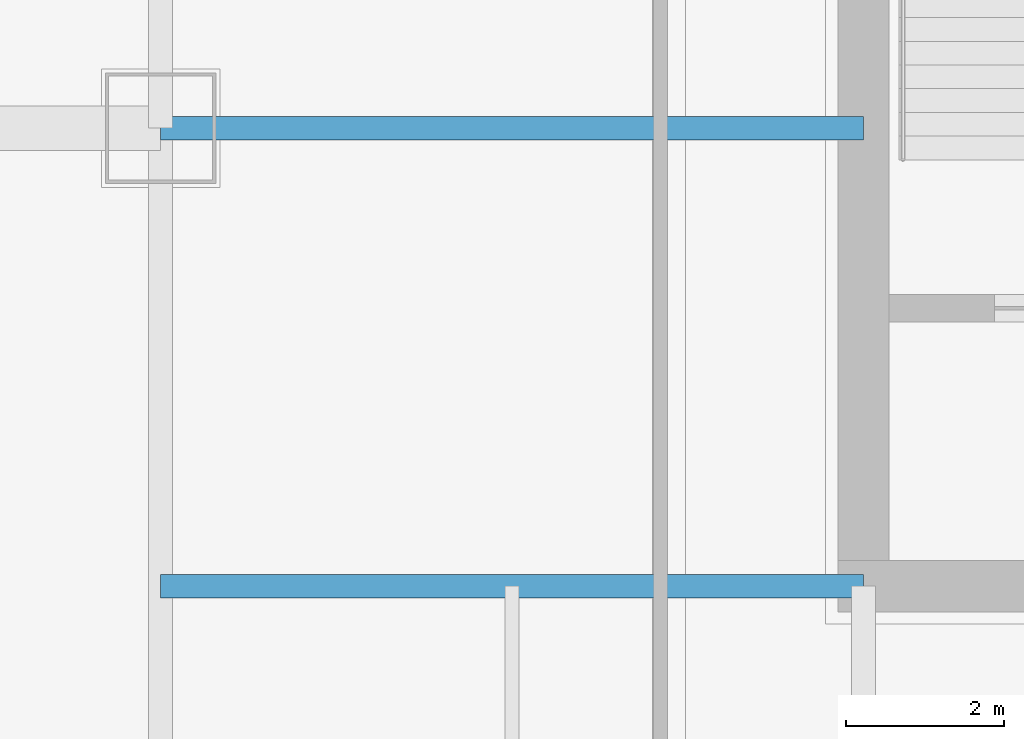
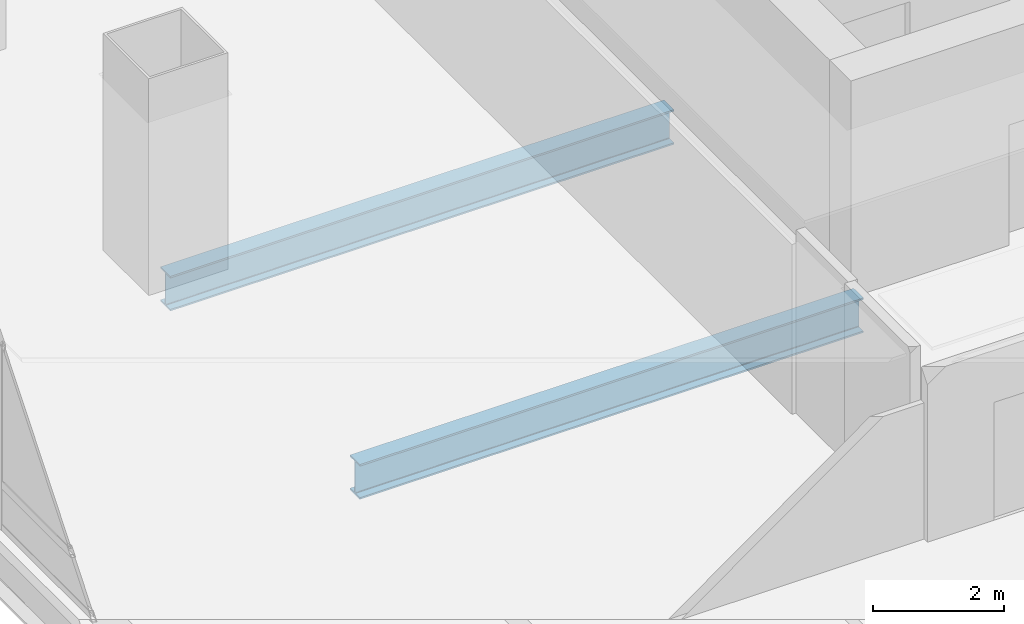
# One storey, part 6 of 38: 2 beams.
"""IFC4 building model written with IfcOpenShell, lengths in metres."""

from ifc_helpers import new_model, si_unit, direction, frame, origin, origin_2d, place, context, subcontext, project, spatial, i_section, extrude, material, material_profile, profile_set, type_object, element, save


model = new_model("IFC4")

# Units and contexts
model_context = context("Model", 3, precision=1e-05, world=origin(), true_north=direction((0.0, 1.0)))
body_context = subcontext(model_context, "Body", "Model", "MODEL_VIEW")
ifc_project = project(units=[si_unit("LENGTHUNIT", "METRE"), si_unit("AREAUNIT", "SQUARE_METRE"), si_unit("VOLUMEUNIT", "CUBIC_METRE"), si_unit("PLANEANGLEUNIT", "RADIAN"), si_unit("MASSUNIT", "GRAM", prefix="KILO")], contexts=[model_context])

# Site, building, storey
site_placement = place(None, origin())
site = spatial("IfcSite", under=ifc_project, at=site_placement, CompositionType="ELEMENT")
building_placement = place(site_placement, origin())
building = spatial("IfcBuilding", under=site, at=building_placement, Name="Punatoya Terracotta Tower", CompositionType="ELEMENT")
storey_placement = place(building_placement, frame((0.0, 0.0, 160.050048828125)))
storey = spatial("IfcBuildingStorey", under=building, at=storey_placement, Name="L37", CompositionType="ELEMENT", Elevation=160.050048828125)

# Beams
ifc_material = material(Name="Steel S355", Category="steel")
ifc_material_profile = material_profile(ifc_material, i_section(OverallWidth=0.300048828125, OverallDepth=0.64990234375, WebThickness=0.01611328125, FlangeThickness=0.031005859375, FilletRadius=0.01806640625, at=origin_2d()))
ifc_profile_set = profile_set([ifc_material_profile], Name="Steel S355")
beam_type = type_object("IfcBeamType", Name="BM-PRI-650", PredefinedType="BEAM", material=ifc_profile_set)
for number, where, z_axis, x_axis, name in (
    (1, (-19.10009765625, -9.199951171875, -0.545166015625), (1.0, 0.0, 0.0), (0.0, 1.0, 0.0), "BM-L37-PR-WS"),
    (2, (-19.10009765625, -3.39990234375, -0.545166015625), (1.0, 0.0, 0.0), (0.0, 1.0, 0.0), "BM-L37-PR-WD"),
):
    element("IfcBeam", number, at=place(storey_placement, frame(where, z_axis=z_axis, x_axis=x_axis)), inside=storey, type_object=beam_type, Name=name, PredefinedType="BEAM", context=body_context, shape_type="SweptSolid", body=[
        extrude(i_section(OverallWidth=0.300048828125, OverallDepth=0.64990234375, WebThickness=0.01611328125, FlangeThickness=0.031005859375, FilletRadius=0.01806640625, at=origin_2d()), origin(), (0.0, 0.0, 1.0), 8.900146484375),
    ])

save(model, "model.ifc")
